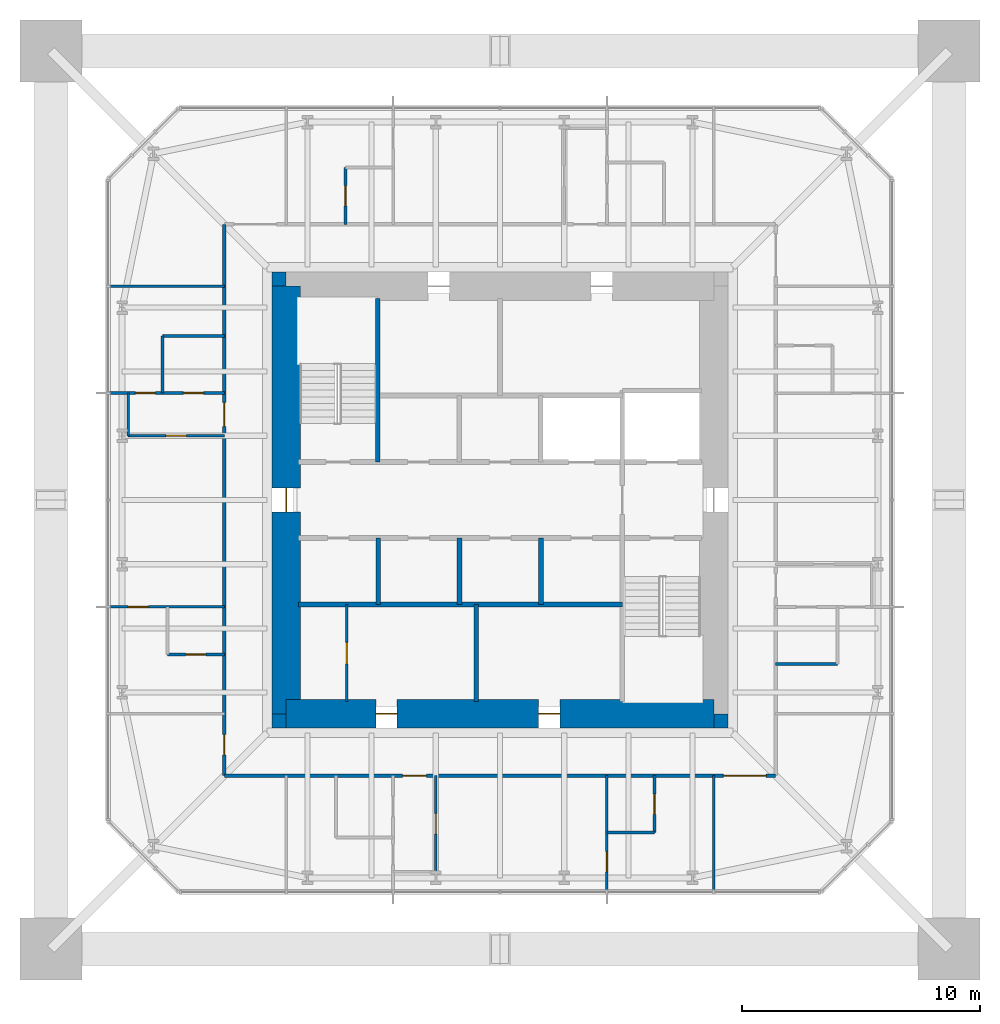
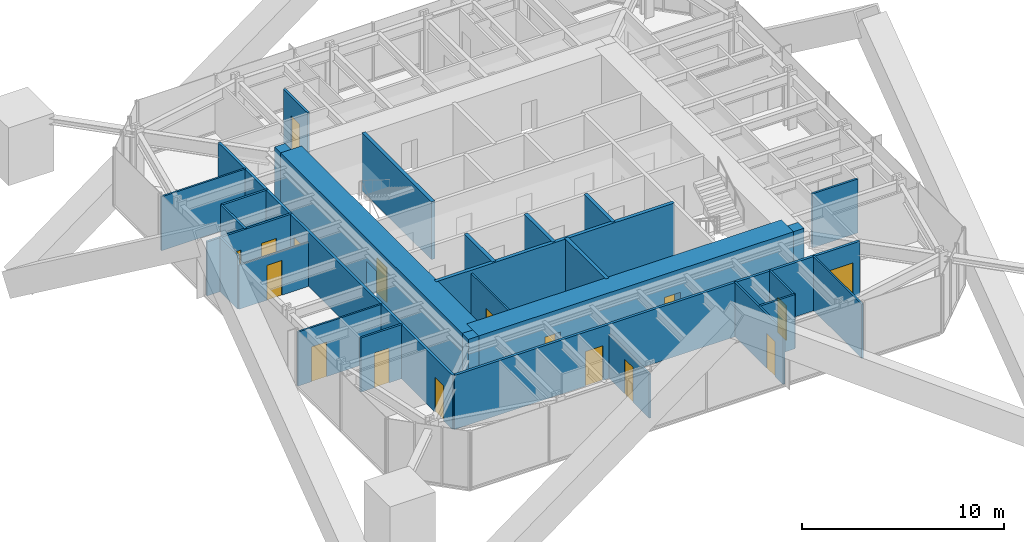
# One storey, part 7 of 10: 29 walls, 17 doors, 17 openings.
"""IFC4 building model written with IfcOpenShell, lengths in metres."""

from ifc_helpers import new_model, si_unit, direction, frame, frame_2d, origin, place, context, subcontext, project, spatial, rectangle, extrude, material, layer, layer_set, type_object, element, fill, save


model = new_model("IFC4")

# Units and contexts
model_context = context("Model", 3, precision=1e-05, world=origin(), true_north=direction((0.0, 1.0)))
body_context = subcontext(model_context, "Body", "Model", "MODEL_VIEW")
ifc_project = project(units=[si_unit("LENGTHUNIT", "METRE"), si_unit("AREAUNIT", "SQUARE_METRE"), si_unit("VOLUMEUNIT", "CUBIC_METRE"), si_unit("PLANEANGLEUNIT", "RADIAN"), si_unit("MASSUNIT", "GRAM", prefix="KILO")], contexts=[model_context])

# Site, building, storey
site_placement = place(None, origin())
site = spatial("IfcSite", under=ifc_project, at=site_placement, CompositionType="ELEMENT")
building_placement = place(site_placement, origin())
building = spatial("IfcBuilding", under=site, at=building_placement, Name="Iwan Alto Co-Living Towers", CompositionType="ELEMENT")
storey_placement = place(building_placement, frame((0.0, 0.0, 246.5)))
storey = spatial("IfcBuildingStorey", under=building, at=storey_placement, Name="L67", CompositionType="ELEMENT", Elevation=246.5)

# Wall, openings, doors
ifc_material_1 = material(Name="Gypsum board")
ifc_layer_1 = layer(ifc_material_1, 0.02490234375, Name="Board", Category="Finish")
ifc_material_2 = material(Name="Steel ASTM A1003 ST33H cold-formed studs", Category="steel")
ifc_layer_2 = layer(ifc_material_2, 0.10009765625, Name="Studs", Category="Framing")
ifc_layer_3 = layer(ifc_material_1, 0.02490234375, Name="Board", Category="Finish")
ifc_layer_set_1 = layer_set([ifc_layer_1, ifc_layer_2, ifc_layer_3], Name="CORRIDOR WALL 150")
wall_type_1 = type_object("IfcWallType", Name="CORRIDOR WALL 150", PredefinedType="PARTITIONING", material=ifc_layer_set_1)
wall_1_placement = place(storey_placement, frame((-11.60009765625, -11.60009765625, 0.0), z_axis=(0.0, 0.0, 1.0), x_axis=(1.0, 0.0, 0.0)))
wall_1 = element("IfcWall", 1, at=wall_1_placement, inside=storey, type_object=wall_type_1, Name="Partition L67", PredefinedType="PARTITIONING", context=body_context, shape_type="SweptSolid", body=[
    extrude(rectangle(XDim=23.2001953125, YDim=0.14990234375, at=frame_2d((11.60009765625, 0.0))), origin(), (0.0, 0.0, 1.0), 3.27001953125),
])
opening_1_placement = place(wall_1_placement, frame((7.5, 0.0, 0.0)))
opening_1 = element("IfcOpeningElement", 2, at=opening_1_placement, cuts=wall_1, Name="Opening D3", PredefinedType="OPENING", context=body_context, shape_type="SweptSolid", body=[
    extrude(rectangle(XDim=1.0, YDim=2.10009765625, at=frame_2d((0.5, 1.050048828125))), frame((0.0, 0.0849609375, 0.0), z_axis=(0.0, -1.0, 0.0), x_axis=(1.0, 0.0, 0.0)), (0.0, 0.0, 1.0), 0.169921875),
])
opening_2_placement = place(wall_1_placement, frame((21.0, 0.0, 0.0)))
opening_2 = element("IfcOpeningElement", 3, at=opening_2_placement, cuts=wall_1, Name="Opening D9", PredefinedType="OPENING", context=body_context, shape_type="SweptSolid", body=[
    extrude(rectangle(XDim=1.800048828125, YDim=2.10009765625, at=frame_2d((0.89990234375, 1.050048828125))), frame((0.0, 0.0849609375, 0.0), z_axis=(0.0, -1.0, 0.0), x_axis=(1.0, 0.0, 0.0)), (0.0, 0.0, 1.0), 0.169921875),
])
ifc_material_3 = material(Name="Steel frame with timber leaf", Category="steel")
door_type_1 = type_object("IfcDoorType", Name="FLAT ENTRANCE DOOR FD30S 1000X2100", OperationType="SINGLE_SWING_LEFT", PredefinedType="DOOR", material=ifc_material_3)
door_1_placement = place(opening_1_placement, frame((1.0, 0.0, 0.0), z_axis=(0.0, 0.0, 1.0), x_axis=(-1.0, 0.0, 0.0)))
door_1 = element("IfcDoor", 4, at=door_1_placement, inside=storey, type_object=door_type_1, Name="Apartment foyer door L67", OperationType="SINGLE_SWING_RIGHT", OverallHeight=2.10009765625, OverallWidth=1.0, PredefinedType="DOOR", context=body_context, shape_type="SweptSolid", body=[
    extrude(rectangle(XDim=1.0, YDim=2.10009765625, at=frame_2d((0.5, 1.050048828125))), frame((0.0, 0.02490234375, 0.0), z_axis=(0.0, -1.0, 0.0), x_axis=(1.0, 0.0, 0.0)), (0.0, 0.0, 1.0), 0.050048828125),
])
fill(opening_1, door_1)
ifc_material_4 = material(Name="Steel frame with timber leaf", Category="steel")
door_type_2 = type_object("IfcDoorType", Name="LOUNGE DOOR FD30S 1800X2100", OperationType="DOUBLE_DOOR_SINGLE_SWING", PredefinedType="DOOR", material=ifc_material_4)
door_2_placement = place(opening_2_placement, frame((1.800048828125, 0.0, 0.0), z_axis=(0.0, 0.0, 1.0), x_axis=(-1.0, 0.0, 0.0)))
door_2 = element("IfcDoor", 5, at=door_2_placement, inside=storey, type_object=door_type_2, Name="Courtyard lounge door L67", OperationType="DOUBLE_DOOR_SINGLE_SWING", OverallHeight=2.10009765625, OverallWidth=1.800048828125, PredefinedType="DOOR", context=body_context, shape_type="SweptSolid", body=[
    extrude(rectangle(XDim=1.800048828125, YDim=2.10009765625, at=frame_2d((0.89990234375, 1.050048828125))), frame((0.0, 0.02490234375, 0.0), z_axis=(0.0, -1.0, 0.0), x_axis=(1.0, 0.0, 0.0)), (0.0, 0.0, 1.0), 0.050048828125),
])
fill(opening_2, door_2)

wall_2_placement = place(storey_placement, frame((-11.60009765625, -11.60009765625, 0.0), z_axis=(0.0, 0.0, 1.0), x_axis=(0.0, 1.0, 0.0)))
wall_2 = element("IfcWall", 6, at=wall_2_placement, inside=storey, type_object=wall_type_1, Name="Partition L67", PredefinedType="PARTITIONING", context=body_context, shape_type="SweptSolid", body=[
    extrude(rectangle(XDim=23.2001953125, YDim=0.14990234375, at=frame_2d((11.60009765625, 0.0))), origin(), (0.0, 0.0, 1.0), 3.27001953125),
])
opening_3_placement = place(wall_2_placement, frame((14.699951171875, 0.0, 0.0)))
opening_3 = element("IfcOpeningElement", 7, at=opening_3_placement, cuts=wall_2, Name="Opening D3", PredefinedType="OPENING", context=body_context, shape_type="SweptSolid", body=[
    extrude(rectangle(XDim=1.0, YDim=2.10009765625, at=frame_2d((0.5, 1.050048828125))), frame((0.0, 0.0849609375, 0.0), z_axis=(0.0, -1.0, 0.0), x_axis=(1.0, 0.0, 0.0)), (0.0, 0.0, 1.0), 0.169921875),
])
opening_4_placement = place(wall_2_placement, frame((0.875, 0.0, 0.0)))
opening_4 = element("IfcOpeningElement", 8, at=opening_4_placement, cuts=wall_2, Name="Opening D2", PredefinedType="OPENING", context=body_context, shape_type="SweptSolid", body=[
    extrude(rectangle(XDim=0.85009765625, YDim=2.10009765625, at=frame_2d((0.425048828125, 1.050048828125))), frame((0.0, 0.0849609375, 0.0), z_axis=(0.0, -1.0, 0.0), x_axis=(1.0, 0.0, 0.0)), (0.0, 0.0, 1.0), 0.169921875),
])
door_3_placement = place(opening_3_placement, origin())
door_3 = element("IfcDoor", 9, at=door_3_placement, inside=storey, type_object=door_type_1, Name="Apartment foyer door L67", OperationType="SINGLE_SWING_LEFT", OverallHeight=2.10009765625, OverallWidth=1.0, PredefinedType="DOOR", context=body_context, shape_type="SweptSolid", body=[
    extrude(rectangle(XDim=1.0, YDim=2.10009765625, at=frame_2d((0.5, 1.050048828125))), frame((0.0, 0.02490234375, 0.0), z_axis=(0.0, -1.0, 0.0), x_axis=(1.0, 0.0, 0.0)), (0.0, 0.0, 1.0), 0.050048828125),
])
fill(opening_3, door_3)
ifc_material_5 = material(Name="Timber leaf in steel frame", Category="steel")
door_type_3 = type_object("IfcDoorType", Name="ROOM DOOR 850X2100", OperationType="SINGLE_SWING_LEFT", PredefinedType="DOOR", material=ifc_material_5)
door_4_placement = place(opening_4_placement, origin())
door_4 = element("IfcDoor", 10, at=door_4_placement, inside=storey, type_object=door_type_3, Name="Shared kitchen and lounge door L67", OperationType="SINGLE_SWING_RIGHT", OverallHeight=2.10009765625, OverallWidth=0.85009765625, PredefinedType="DOOR", context=body_context, shape_type="SweptSolid", body=[
    extrude(rectangle(XDim=0.85009765625, YDim=2.10009765625, at=frame_2d((0.425048828125, 1.050048828125))), frame((0.0, 0.02490234375, 0.0), z_axis=(0.0, -1.0, 0.0), x_axis=(1.0, 0.0, 0.0)), (0.0, 0.0, 1.0), 0.050048828125),
])
fill(opening_4, door_4)

# Wall, opening, door
ifc_layer_4 = layer(ifc_material_1, 0.012451171875, Name="Board", Category="Finish")
ifc_layer_5 = layer(ifc_material_2, 0.074951171875, Name="Studs", Category="Framing")
ifc_layer_6 = layer(ifc_material_1, 0.012451171875, Name="Board", Category="Finish")
ifc_layer_set_2 = layer_set([ifc_layer_4, ifc_layer_5, ifc_layer_6], Name="PARTITION 100")
wall_type_2 = type_object("IfcWallType", Name="PARTITION 100", PredefinedType="PARTITIONING", material=ifc_layer_set_2)
wall_3_placement = place(storey_placement, frame((-16.43994140625, -4.5, 0.0), z_axis=(0.0, 0.0, 1.0), x_axis=(1.0, 0.0, 0.0)))
wall_3 = element("IfcWall", 11, at=wall_3_placement, inside=storey, type_object=wall_type_2, Name="Partition L67", PredefinedType="PARTITIONING", context=body_context, shape_type="SweptSolid", body=[
    extrude(rectangle(XDim=4.83984375, YDim=0.10009765625, at=frame_2d((2.419921875, 0.0))), origin(), (0.0, 0.0, 1.0), 3.27001953125),
])
opening_5_placement = place(wall_3_placement, frame((0.794921875, 0.0, 0.0)))
opening_5 = element("IfcOpeningElement", 12, at=opening_5_placement, cuts=wall_3, Name="Opening D2", PredefinedType="OPENING", context=body_context, shape_type="SweptSolid", body=[
    extrude(rectangle(XDim=0.85009765625, YDim=2.10009765625, at=frame_2d((0.425048828125, 1.050048828125))), frame((0.0, 0.06005859375, 0.0), z_axis=(0.0, -1.0, 0.0), x_axis=(1.0, 0.0, 0.0)), (0.0, 0.0, 1.0), 0.1201171875),
])
door_5_placement = place(opening_5_placement, origin())
door_5 = element("IfcDoor", 13, at=door_5_placement, inside=storey, type_object=door_type_3, Name="Bedroom door L67", OperationType="SINGLE_SWING_LEFT", OverallHeight=2.10009765625, OverallWidth=0.85009765625, PredefinedType="DOOR", context=body_context, shape_type="SweptSolid", body=[
    extrude(rectangle(XDim=0.85009765625, YDim=2.10009765625, at=frame_2d((0.425048828125, 1.050048828125))), frame((0.0, 0.02490234375, 0.0), z_axis=(0.0, -1.0, 0.0), x_axis=(1.0, 0.0, 0.0)), (0.0, 0.0, 1.0), 0.050048828125),
])
fill(opening_5, door_5)

wall_4_placement = place(storey_placement, frame((-15.64990234375, 2.699951171875, 0.0), z_axis=(0.0, 0.0, 1.0), x_axis=(1.0, 0.0, 0.0)))
wall_4 = element("IfcWall", 14, at=wall_4_placement, inside=storey, type_object=wall_type_2, Name="Partition L67", PredefinedType="PARTITIONING", context=body_context, shape_type="SweptSolid", body=[
    extrude(rectangle(XDim=4.0498046875, YDim=0.10009765625, at=frame_2d((2.02490234375, 0.0))), origin(), (0.0, 0.0, 1.0), 2.662841796875),
])
opening_6_placement = place(wall_4_placement, frame((1.60009765625, 0.0, 0.0)))
opening_6 = element("IfcOpeningElement", 15, at=opening_6_placement, cuts=wall_4, Name="Opening D2", PredefinedType="OPENING", context=body_context, shape_type="SweptSolid", body=[
    extrude(rectangle(XDim=0.85009765625, YDim=2.10009765625, at=frame_2d((0.425048828125, 1.050048828125))), frame((0.0, 0.06005859375, 0.0), z_axis=(0.0, -1.0, 0.0), x_axis=(1.0, 0.0, 0.0)), (0.0, 0.0, 1.0), 0.1201171875),
])
door_6_placement = place(opening_6_placement, frame((0.85009765625, 0.0, 0.0), z_axis=(0.0, 0.0, 1.0), x_axis=(-1.0, 0.0, 0.0)))
door_6 = element("IfcDoor", 16, at=door_6_placement, inside=storey, type_object=door_type_3, Name="Apartment foyer door L67", OperationType="SINGLE_SWING_RIGHT", OverallHeight=2.10009765625, OverallWidth=0.85009765625, PredefinedType="DOOR", context=body_context, shape_type="SweptSolid", body=[
    extrude(rectangle(XDim=0.85009765625, YDim=2.10009765625, at=frame_2d((0.425048828125, 1.050048828125))), frame((0.0, 0.02490234375, 0.0), z_axis=(0.0, -1.0, 0.0), x_axis=(1.0, 0.0, 0.0)), (0.0, 0.0, 1.0), 0.050048828125),
])
fill(opening_6, door_6)

# Walls
for number, where, z_axis, x_axis, name in (
    (17, (-16.43994140625, 9.0, 0.0), (0.0, 0.0, 1.0), (1.0, 0.0, 0.0), "Partition L67"),
    (18, (9.0, -16.43994140625, 0.0), (0.0, 0.0, 1.0), (0.0, 1.0, 0.0), "Partition L67"),
):
    element("IfcWall", number, at=place(storey_placement, frame(where, z_axis=z_axis, x_axis=x_axis)), inside=storey, type_object=wall_type_2, Name=name, PredefinedType="PARTITIONING", context=body_context, shape_type="SweptSolid", body=[
        extrude(rectangle(XDim=4.83984375, YDim=0.10009765625, at=frame_2d((2.419921875, 0.0))), origin(), (0.0, 0.0, 1.0), 3.27001953125),
    ])

# Wall, opening, door
wall_5_placement = place(storey_placement, frame((4.5, -16.43994140625, 0.0), z_axis=(0.0, 0.0, 1.0), x_axis=(0.0, 1.0, 0.0)))
wall_5 = element("IfcWall", 19, at=wall_5_placement, inside=storey, type_object=wall_type_2, Name="Partition L67", PredefinedType="PARTITIONING", context=body_context, shape_type="SweptSolid", body=[
    extrude(rectangle(XDim=4.83984375, YDim=0.10009765625, at=frame_2d((2.419921875, 0.0))), origin(), (0.0, 0.0, 1.0), 3.27001953125),
])
opening_7_placement = place(wall_5_placement, frame((0.794921875, 0.0, 0.0)))
opening_7 = element("IfcOpeningElement", 20, at=opening_7_placement, cuts=wall_5, Name="Opening D2", PredefinedType="OPENING", context=body_context, shape_type="SweptSolid", body=[
    extrude(rectangle(XDim=0.85009765625, YDim=2.10009765625, at=frame_2d((0.425048828125, 1.050048828125))), frame((0.0, 0.06005859375, 0.0), z_axis=(0.0, -1.0, 0.0), x_axis=(1.0, 0.0, 0.0)), (0.0, 0.0, 1.0), 0.1201171875),
])
door_7_placement = place(opening_7_placement, origin())
door_7 = element("IfcDoor", 21, at=door_7_placement, inside=storey, type_object=door_type_3, Name="Bedroom door L67", OperationType="SINGLE_SWING_LEFT", OverallHeight=2.10009765625, OverallWidth=0.85009765625, PredefinedType="DOOR", context=body_context, shape_type="SweptSolid", body=[
    extrude(rectangle(XDim=0.85009765625, YDim=2.10009765625, at=frame_2d((0.425048828125, 1.050048828125))), frame((0.0, 0.02490234375, 0.0), z_axis=(0.0, -1.0, 0.0), x_axis=(1.0, 0.0, 0.0)), (0.0, 0.0, 1.0), 0.050048828125),
])
fill(opening_7, door_7)

wall_6_placement = place(storey_placement, frame((-2.699951171875, -15.64990234375, 0.0), z_axis=(0.0, 0.0, 1.0), x_axis=(0.0, 1.0, 0.0)))
wall_6 = element("IfcWall", 22, at=wall_6_placement, inside=storey, type_object=wall_type_2, Name="Partition L67", PredefinedType="PARTITIONING", context=body_context, shape_type="SweptSolid", body=[
    extrude(rectangle(XDim=4.0498046875, YDim=0.10009765625, at=frame_2d((2.02490234375, 0.0))), origin(), (0.0, 0.0, 1.0), 2.662841796875),
])
opening_8_placement = place(wall_6_placement, frame((1.60009765625, 0.0, 0.0)))
opening_8 = element("IfcOpeningElement", 23, at=opening_8_placement, cuts=wall_6, Name="Opening D2", PredefinedType="OPENING", context=body_context, shape_type="SweptSolid", body=[
    extrude(rectangle(XDim=0.85009765625, YDim=2.10009765625, at=frame_2d((0.425048828125, 1.050048828125))), frame((0.0, 0.06005859375, 0.0), z_axis=(0.0, -1.0, 0.0), x_axis=(1.0, 0.0, 0.0)), (0.0, 0.0, 1.0), 0.1201171875),
])
door_8_placement = place(opening_8_placement, frame((0.85009765625, 0.0, 0.0), z_axis=(0.0, 0.0, 1.0), x_axis=(-1.0, 0.0, 0.0)))
door_8 = element("IfcDoor", 24, at=door_8_placement, inside=storey, type_object=door_type_3, Name="Apartment foyer door L67", OperationType="SINGLE_SWING_RIGHT", OverallHeight=2.10009765625, OverallWidth=0.85009765625, PredefinedType="DOOR", context=body_context, shape_type="SweptSolid", body=[
    extrude(rectangle(XDim=0.85009765625, YDim=2.10009765625, at=frame_2d((0.425048828125, 1.050048828125))), frame((0.0, 0.02490234375, 0.0), z_axis=(0.0, -1.0, 0.0), x_axis=(1.0, 0.0, 0.0)), (0.0, 0.0, 1.0), 0.050048828125),
])
fill(opening_8, door_8)

wall_7_placement = place(storey_placement, frame((-6.449951171875, -8.489990234375, 0.0), z_axis=(0.0, 0.0, 1.0), x_axis=(0.0, 1.0, 0.0)))
wall_7 = element("IfcWall", 25, at=wall_7_placement, inside=storey, type_object=wall_type_2, Name="Partition L67", PredefinedType="PARTITIONING", context=body_context, shape_type="SweptSolid", body=[
    extrude(rectangle(XDim=4.090087890625, YDim=0.10009765625, at=frame_2d((2.044921875, 0.0))), origin(), (0.0, 0.0, 1.0), 3.300048828125),
])
opening_9_placement = place(wall_7_placement, frame((1.594970703125, 0.0, 0.0)))
opening_9 = element("IfcOpeningElement", 26, at=opening_9_placement, cuts=wall_7, Name="Opening D16", PredefinedType="OPENING", context=body_context, shape_type="SweptSolid", body=[
    extrude(rectangle(XDim=0.89990234375, YDim=2.10009765625, at=frame_2d((0.449951171875, 1.050048828125))), frame((0.0, 0.06005859375, 0.0), z_axis=(0.0, -1.0, 0.0), x_axis=(1.0, 0.0, 0.0)), (0.0, 0.0, 1.0), 0.1201171875),
])
ifc_material_6 = material(Name="Timber leaf in steel frame", Category="steel")
door_type_4 = type_object("IfcDoorType", Name="CUPBOARD SLIDING DOOR 900X2100", OperationType="SLIDING_TO_LEFT", PredefinedType="DOOR", material=ifc_material_6)
door_9_placement = place(opening_9_placement, origin())
door_9 = element("IfcDoor", 27, at=door_9_placement, inside=storey, type_object=door_type_4, Name="Bulky waste store door L67", OperationType="SLIDING_TO_LEFT", OverallHeight=2.10009765625, OverallWidth=0.89990234375, PredefinedType="DOOR", context=body_context, shape_type="SweptSolid", body=[
    extrude(rectangle(XDim=0.89990234375, YDim=2.10009765625, at=frame_2d((0.449951171875, 1.050048828125))), frame((0.0, 0.02490234375, 0.0), z_axis=(0.0, -1.0, 0.0), x_axis=(1.0, 0.0, 0.0)), (0.0, 0.0, 1.0), 0.050048828125),
])
fill(opening_9, door_9)

# Walls
wall_8_placement = place(storey_placement, frame((-15.64990234375, 2.699951171875, 0.0), z_axis=(0.0, 0.0, 1.0), x_axis=(0.0, 1.0, 0.0)))
element("IfcWall", 28, at=wall_8_placement, inside=storey, type_object=wall_type_2, Name="Partition L67", PredefinedType="PARTITIONING", context=body_context, shape_type="SweptSolid", body=[
    extrude(rectangle(XDim=1.800048828125, YDim=0.10009765625, at=frame_2d((0.89990234375, 0.0))), origin(), (0.0, 0.0, 1.0), 3.27001953125),
])
ifc_material_7 = material(Name="Concrete f'c 70 MPa", Category="concrete")
ifc_layer_7 = layer(ifc_material_7, 0.199951171875)
ifc_layer_set_3 = layer_set([ifc_layer_7], Name="SHAFT WALL 200")
wall_type_3 = type_object("IfcWallType", Name="SHAFT WALL 200", PredefinedType="SOLIDWALL", material=ifc_layer_set_3)
wall_9_placement = place(storey_placement, frame((-8.489990234375, -4.39990234375, 0.0), z_axis=(0.0, 0.0, 1.0), x_axis=(1.0, 0.0, 0.0)))
element("IfcWall", 29, at=wall_9_placement, inside=storey, type_object=wall_type_3, Name="Shaft wall L67", PredefinedType="SOLIDWALL", context=body_context, shape_type="SweptSolid", body=[
    extrude(rectangle(XDim=13.639892578125, YDim=0.199951171875, at=frame_2d((6.81982421875, 0.0))), origin(), (0.0, 0.0, 1.0), 3.5),
])
wall_10_placement = place(storey_placement, frame((1.72509765625, -4.39990234375, 0.0), z_axis=(0.0, 0.0, 1.0), x_axis=(0.0, 1.0, 0.0)))
element("IfcWall", 30, at=wall_10_placement, inside=storey, type_object=wall_type_3, Name="Shaft wall L67", PredefinedType="SOLIDWALL", context=body_context, shape_type="SweptSolid", body=[
    extrude(rectangle(XDim=2.7998046875, YDim=0.199951171875, at=frame_2d((1.39990234375, 0.0))), origin(), (0.0, 0.0, 1.0), 3.5),
])
wall_11_placement = place(storey_placement, frame((-1.0, -8.489990234375, 0.0), z_axis=(0.0, 0.0, 1.0), x_axis=(0.0, 1.0, 0.0)))
element("IfcWall", 31, at=wall_11_placement, inside=storey, type_object=wall_type_3, Name="Shaft wall L67", PredefinedType="SOLIDWALL", context=body_context, shape_type="SweptSolid", body=[
    extrude(rectangle(XDim=4.090087890625, YDim=0.199951171875, at=frame_2d((2.044921875, 0.0))), origin(), (0.0, 0.0, 1.0), 3.5),
])
for number, where, z_axis, x_axis, name in (
    (32, (-1.699951171875, -4.39990234375, 0.0), (0.0, 0.0, 1.0), (0.0, 1.0, 0.0), "Shaft wall L67"),
    (33, (-5.125, -4.39990234375, 0.0), (0.0, 0.0, 1.0), (0.0, 1.0, 0.0), "Shaft wall L67"),
):
    element("IfcWall", number, at=place(storey_placement, frame(where, z_axis=z_axis, x_axis=x_axis)), inside=storey, type_object=wall_type_3, Name=name, PredefinedType="SOLIDWALL", context=body_context, shape_type="SweptSolid", body=[
        extrude(rectangle(XDim=2.7998046875, YDim=0.199951171875, at=frame_2d((1.39990234375, 0.0))), origin(), (0.0, 0.0, 1.0), 3.5),
    ])
wall_12_placement = place(storey_placement, frame((-5.14990234375, 1.60009765625, 0.0), z_axis=(0.0, 0.0, 1.0), x_axis=(0.0, 1.0, 0.0)))
element("IfcWall", 34, at=wall_12_placement, inside=storey, type_object=wall_type_3, Name="Shaft wall L67", PredefinedType="SOLIDWALL", context=body_context, shape_type="SweptSolid", body=[
    extrude(rectangle(XDim=6.889892578125, YDim=0.199951171875, at=frame_2d((3.44482421875, 0.0))), origin(), (0.0, 0.0, 1.0), 3.5),
])
ifc_material_8 = material(Name="Concrete f'c 70 MPa", Category="concrete")
ifc_layer_8 = layer(ifc_material_8, 0.60009765625)
ifc_layer_set_4 = layer_set([ifc_layer_8], Name="T1 CORE CORNER FILL 600")
wall_type_4 = type_object("IfcWallType", Name="T1 CORE CORNER FILL 600", PredefinedType="SOLIDWALL", material=ifc_layer_set_4)
for number, where, z_axis, x_axis, name in (
    (35, (-9.60009765625, -9.300048828125, 0.0), (0.0, 0.0, 1.0), (1.0, 0.0, 0.0), "T1 core corner SW L67"),
    (36, (9.0, -9.300048828125, 0.0), (0.0, 0.0, 1.0), (1.0, 0.0, 0.0), "T1 core corner SE L67"),
    (37, (-9.60009765625, 9.300048828125, 0.0), (0.0, 0.0, 1.0), (1.0, 0.0, 0.0), "T1 core corner NW L67"),
):
    element("IfcWall", number, at=place(storey_placement, frame(where, z_axis=z_axis, x_axis=x_axis)), inside=storey, type_object=wall_type_4, Name=name, PredefinedType="SOLIDWALL", context=body_context, shape_type="SweptSolid", body=[
        extrude(rectangle(XDim=0.60009765625, YDim=0.60009765625, at=frame_2d((0.300048828125, 0.0))), origin(), (0.0, 0.0, 1.0), 3.5),
    ])

# Wall, openings, doors
ifc_material_9 = material(Name="Concrete f'c 70 MPa", Category="concrete")
ifc_layer_9 = layer(ifc_material_9, 1.199951171875)
ifc_layer_set_5 = layer_set([ifc_layer_9], Name="T1 CORE WALL 1200")
wall_type_5 = type_object("IfcWallType", Name="T1 CORE WALL 1200", PredefinedType="SHEAR", material=ifc_layer_set_5)
wall_13_placement = place(storey_placement, frame((-9.0, -9.0, 0.0), z_axis=(0.0, 0.0, 1.0), x_axis=(1.0, 0.0, 0.0)))
wall_13 = element("IfcWall", 38, at=wall_13_placement, inside=storey, type_object=wall_type_5, Name="T1 core wall S L67", PredefinedType="SHEAR", context=body_context, shape_type="SweptSolid", body=[
    extrude(rectangle(XDim=18.0, YDim=1.199951171875, at=frame_2d((9.0, 0.0))), origin(), (0.0, 0.0, 1.0), 3.5),
])
opening_10_placement = place(wall_13_placement, frame((3.77490234375, 0.0, 0.0)))
opening_10 = element("IfcOpeningElement", 39, at=opening_10_placement, cuts=wall_13, Name="Opening D8", PredefinedType="OPENING", context=body_context, shape_type="SweptSolid", body=[
    extrude(rectangle(XDim=0.89990234375, YDim=2.10009765625, at=frame_2d((0.449951171875, 1.050048828125))), frame((0.0, 0.60986328125, 0.0), z_axis=(0.0, -1.0, 0.0), x_axis=(1.0, 0.0, 0.0)), (0.0, 0.0, 1.0), 1.219970703125),
])
opening_11_placement = place(wall_13_placement, frame((10.625, 0.0, 0.0)))
opening_11 = element("IfcOpeningElement", 40, at=opening_11_placement, cuts=wall_13, Name="Opening D8", PredefinedType="OPENING", context=body_context, shape_type="SweptSolid", body=[
    extrude(rectangle(XDim=0.89990234375, YDim=2.10009765625, at=frame_2d((0.449951171875, 1.050048828125))), frame((0.0, 0.60986328125, 0.0), z_axis=(0.0, -1.0, 0.0), x_axis=(1.0, 0.0, 0.0)), (0.0, 0.0, 1.0), 1.219970703125),
])
ifc_material_10 = material(Name="Steel frame with timber leaf", Category="steel")
door_type_5 = type_object("IfcDoorType", Name="RISER DOOR FD120 900X2100", OperationType="SINGLE_SWING_LEFT", PredefinedType="DOOR", material=ifc_material_10)
door_10_placement = place(opening_10_placement, origin())
door_10 = element("IfcDoor", 41, at=door_10_placement, inside=storey, type_object=door_type_5, Name="Refuse room core door L67", OperationType="SINGLE_SWING_LEFT", OverallHeight=2.10009765625, OverallWidth=0.89990234375, PredefinedType="DOOR", context=body_context, shape_type="SweptSolid", body=[
    extrude(rectangle(XDim=0.89990234375, YDim=2.10009765625, at=frame_2d((0.449951171875, 1.050048828125))), frame((0.0, 0.02490234375, 0.0), z_axis=(0.0, -1.0, 0.0), x_axis=(1.0, 0.0, 0.0)), (0.0, 0.0, 1.0), 0.050048828125),
])
fill(opening_10, door_10)
door_11_placement = place(opening_11_placement, origin())
door_11 = element("IfcDoor", 42, at=door_11_placement, inside=storey, type_object=door_type_5, Name="Telecom riser core door L67", OperationType="SINGLE_SWING_LEFT", OverallHeight=2.10009765625, OverallWidth=0.89990234375, PredefinedType="DOOR", context=body_context, shape_type="SweptSolid", body=[
    extrude(rectangle(XDim=0.89990234375, YDim=2.10009765625, at=frame_2d((0.449951171875, 1.050048828125))), frame((0.0, 0.02490234375, 0.0), z_axis=(0.0, -1.0, 0.0), x_axis=(1.0, 0.0, 0.0)), (0.0, 0.0, 1.0), 0.050048828125),
])
fill(opening_11, door_11)

# Wall, opening, door
wall_14_placement = place(storey_placement, frame((-9.0, 9.0, 0.0), z_axis=(0.0, 0.0, 1.0), x_axis=(0.0, -1.0, 0.0)))
wall_14 = element("IfcWall", 43, at=wall_14_placement, inside=storey, type_object=wall_type_5, Name="T1 core wall W L67", PredefinedType="SHEAR", context=body_context, shape_type="SweptSolid", body=[
    extrude(rectangle(XDim=18.0, YDim=1.199951171875, at=frame_2d((9.0, 0.0))), origin(), (0.0, 0.0, 1.0), 3.5),
])
opening_12_placement = place(wall_14_placement, frame((8.5, 0.0, 0.0)))
opening_12 = element("IfcOpeningElement", 44, at=opening_12_placement, cuts=wall_14, Name="Opening D7", PredefinedType="OPENING", context=body_context, shape_type="SweptSolid", body=[
    extrude(rectangle(XDim=1.0, YDim=2.10009765625, at=frame_2d((0.5, 1.050048828125))), frame((0.0, 0.60986328125, 0.0), z_axis=(0.0, -1.0, 0.0), x_axis=(1.0, 0.0, 0.0)), (0.0, 0.0, 1.0), 1.219970703125),
])
ifc_material_11 = material(Name="Steel frame with timber leaf", Category="steel")
door_type_6 = type_object("IfcDoorType", Name="CORE DOOR FD120S 1000X2100", OperationType="SINGLE_SWING_LEFT", PredefinedType="DOOR", material=ifc_material_11)
door_12_placement = place(opening_12_placement, origin())
door_12 = element("IfcDoor", 45, at=door_12_placement, inside=storey, type_object=door_type_6, Name="Lift lobby core door L67", OperationType="SINGLE_SWING_RIGHT", OverallHeight=2.10009765625, OverallWidth=1.0, PredefinedType="DOOR", context=body_context, shape_type="SweptSolid", body=[
    extrude(rectangle(XDim=1.0, YDim=2.10009765625, at=frame_2d((0.5, 1.050048828125))), frame((0.0, 0.02490234375, 0.0), z_axis=(0.0, -1.0, 0.0), x_axis=(1.0, 0.0, 0.0)), (0.0, 0.0, 1.0), 0.050048828125),
])
fill(opening_12, door_12)

# Walls
ifc_material_12 = material(Name="Cement board")
ifc_layer_10 = layer(ifc_material_12, 0.012451171875, Name="Board", Category="Finish")
ifc_layer_11 = layer(ifc_material_2, 0.094970703125, Name="Studs", Category="Framing")
ifc_layer_12 = layer(ifc_material_12, 0.012451171875, Name="Board", Category="Finish")
ifc_layer_set_6 = layer_set([ifc_layer_10, ifc_layer_11, ifc_layer_12], Name="WET AREA PARTITION 120")
wall_type_6 = type_object("IfcWallType", Name="WET AREA PARTITION 120", PredefinedType="PARTITIONING", material=ifc_layer_set_6)
wall_15_placement = place(storey_placement, frame((4.5, -14.0, 0.0), z_axis=(0.0, 0.0, 1.0), x_axis=(1.0, 0.0, 0.0)))
element("IfcWall", 46, at=wall_15_placement, inside=storey, type_object=wall_type_6, Name="Partition L67", PredefinedType="PARTITIONING", context=body_context, shape_type="SweptSolid", body=[
    extrude(rectangle(XDim=2.0, YDim=0.1201171875, at=frame_2d((1.0, 0.0))), origin(), (0.0, 0.0, 1.0), 3.27001953125),
])
wall_16_placement = place(storey_placement, frame((11.60009765625, -6.89990234375, 0.0), z_axis=(0.0, 0.0, 1.0), x_axis=(1.0, 0.0, 0.0)))
element("IfcWall", 47, at=wall_16_placement, inside=storey, type_object=wall_type_6, Name="Partition L67", PredefinedType="PARTITIONING", context=body_context, shape_type="SweptSolid", body=[
    extrude(rectangle(XDim=2.599853515625, YDim=0.1201171875, at=frame_2d((1.2998046875, 0.0))), origin(), (0.0, 0.0, 1.0), 3.27001953125),
])

# Wall, opening, door
wall_17_placement = place(storey_placement, frame((-14.0, -6.5, 0.0), z_axis=(0.0, 0.0, 1.0), x_axis=(1.0, 0.0, 0.0)))
wall_17 = element("IfcWall", 48, at=wall_17_placement, inside=storey, type_object=wall_type_6, Name="Partition L67", PredefinedType="PARTITIONING", context=body_context, shape_type="SweptSolid", body=[
    extrude(rectangle(XDim=2.39990234375, YDim=0.1201171875, at=frame_2d((1.199951171875, 0.0))), origin(), (0.0, 0.0, 1.0), 3.27001953125),
])
opening_13_placement = place(wall_17_placement, frame((0.77490234375, 0.0, 0.0)))
opening_13 = element("IfcOpeningElement", 49, at=opening_13_placement, cuts=wall_17, Name="Opening D2", PredefinedType="OPENING", context=body_context, shape_type="SweptSolid", body=[
    extrude(rectangle(XDim=0.85009765625, YDim=2.10009765625, at=frame_2d((0.425048828125, 1.050048828125))), frame((0.0, 0.070068359375, 0.0), z_axis=(0.0, -1.0, 0.0), x_axis=(1.0, 0.0, 0.0)), (0.0, 0.0, 1.0), 0.14013671875),
])
door_13_placement = place(opening_13_placement, frame((0.85009765625, 0.0, 0.0), z_axis=(0.0, 0.0, 1.0), x_axis=(-1.0, 0.0, 0.0)))
door_13 = element("IfcDoor", 50, at=door_13_placement, inside=storey, type_object=door_type_3, Name="En-suite shower room door L67", OperationType="SINGLE_SWING_LEFT", OverallHeight=2.10009765625, OverallWidth=0.85009765625, PredefinedType="DOOR", context=body_context, shape_type="SweptSolid", body=[
    extrude(rectangle(XDim=0.85009765625, YDim=2.10009765625, at=frame_2d((0.425048828125, 1.050048828125))), frame((0.0, 0.02490234375, 0.0), z_axis=(0.0, -1.0, 0.0), x_axis=(1.0, 0.0, 0.0)), (0.0, 0.0, 1.0), 0.050048828125),
])
fill(opening_13, door_13)

# Wall, openings, doors
wall_18_placement = place(storey_placement, frame((-16.43994140625, 4.5, 0.0), z_axis=(0.0, 0.0, 1.0), x_axis=(1.0, 0.0, 0.0)))
wall_18 = element("IfcWall", 51, at=wall_18_placement, inside=storey, type_object=wall_type_6, Name="Partition L67", PredefinedType="PARTITIONING", context=body_context, shape_type="SweptSolid", body=[
    extrude(rectangle(XDim=4.83984375, YDim=0.1201171875, at=frame_2d((2.419921875, 0.0))), origin(), (0.0, 0.0, 1.0), 3.27001953125),
])
opening_14_placement = place(wall_18_placement, frame((1.090087890625, 0.0, 0.0)))
opening_14 = element("IfcOpeningElement", 52, at=opening_14_placement, cuts=wall_18, Name="Opening D2", PredefinedType="OPENING", context=body_context, shape_type="SweptSolid", body=[
    extrude(rectangle(XDim=0.85009765625, YDim=2.10009765625, at=frame_2d((0.425048828125, 1.050048828125))), frame((0.0, 0.070068359375, 0.0), z_axis=(0.0, -1.0, 0.0), x_axis=(1.0, 0.0, 0.0)), (0.0, 0.0, 1.0), 0.14013671875),
])
opening_15_placement = place(wall_18_placement, frame((3.114990234375, 0.0, 0.0)))
opening_15 = element("IfcOpeningElement", 53, at=opening_15_placement, cuts=wall_18, Name="Opening D2", PredefinedType="OPENING", context=body_context, shape_type="SweptSolid", body=[
    extrude(rectangle(XDim=0.85009765625, YDim=2.10009765625, at=frame_2d((0.425048828125, 1.050048828125))), frame((0.0, 0.070068359375, 0.0), z_axis=(0.0, -1.0, 0.0), x_axis=(1.0, 0.0, 0.0)), (0.0, 0.0, 1.0), 0.14013671875),
])
door_14_placement = place(opening_14_placement, origin())
door_14 = element("IfcDoor", 54, at=door_14_placement, inside=storey, type_object=door_type_3, Name="Bedroom door L67", OperationType="SINGLE_SWING_RIGHT", OverallHeight=2.10009765625, OverallWidth=0.85009765625, PredefinedType="DOOR", context=body_context, shape_type="SweptSolid", body=[
    extrude(rectangle(XDim=0.85009765625, YDim=2.10009765625, at=frame_2d((0.425048828125, 1.050048828125))), frame((0.0, 0.02490234375, 0.0), z_axis=(0.0, -1.0, 0.0), x_axis=(1.0, 0.0, 0.0)), (0.0, 0.0, 1.0), 0.050048828125),
])
fill(opening_14, door_14)
door_15_placement = place(opening_15_placement, origin())
door_15 = element("IfcDoor", 55, at=door_15_placement, inside=storey, type_object=door_type_3, Name="Bathroom door L67", OperationType="SINGLE_SWING_LEFT", OverallHeight=2.10009765625, OverallWidth=0.85009765625, PredefinedType="DOOR", context=body_context, shape_type="SweptSolid", body=[
    extrude(rectangle(XDim=0.85009765625, YDim=2.10009765625, at=frame_2d((0.425048828125, 1.050048828125))), frame((0.0, 0.02490234375, 0.0), z_axis=(0.0, -1.0, 0.0), x_axis=(1.0, 0.0, 0.0)), (0.0, 0.0, 1.0), 0.050048828125),
])
fill(opening_15, door_15)

# Wall
wall_19_placement = place(storey_placement, frame((-14.199951171875, 6.89990234375, 0.0), z_axis=(0.0, 0.0, 1.0), x_axis=(1.0, 0.0, 0.0)))
element("IfcWall", 56, at=wall_19_placement, inside=storey, type_object=wall_type_6, Name="Partition L67", PredefinedType="PARTITIONING", context=body_context, shape_type="SweptSolid", body=[
    extrude(rectangle(XDim=2.599853515625, YDim=0.1201171875, at=frame_2d((1.2998046875, 0.0))), origin(), (0.0, 0.0, 1.0), 3.27001953125),
])

# Wall, opening, door
wall_20_placement = place(storey_placement, frame((6.5, -14.0, 0.0), z_axis=(0.0, 0.0, 1.0), x_axis=(0.0, 1.0, 0.0)))
wall_20 = element("IfcWall", 57, at=wall_20_placement, inside=storey, type_object=wall_type_6, Name="Partition L67", PredefinedType="PARTITIONING", context=body_context, shape_type="SweptSolid", body=[
    extrude(rectangle(XDim=2.39990234375, YDim=0.1201171875, at=frame_2d((1.199951171875, 0.0))), origin(), (0.0, 0.0, 1.0), 3.27001953125),
])
opening_16_placement = place(wall_20_placement, frame((0.77490234375, 0.0, 0.0)))
opening_16 = element("IfcOpeningElement", 58, at=opening_16_placement, cuts=wall_20, Name="Opening D2", PredefinedType="OPENING", context=body_context, shape_type="SweptSolid", body=[
    extrude(rectangle(XDim=0.85009765625, YDim=2.10009765625, at=frame_2d((0.425048828125, 1.050048828125))), frame((0.0, 0.070068359375, 0.0), z_axis=(0.0, -1.0, 0.0), x_axis=(1.0, 0.0, 0.0)), (0.0, 0.0, 1.0), 0.14013671875),
])
door_16_placement = place(opening_16_placement, frame((0.85009765625, 0.0, 0.0), z_axis=(0.0, 0.0, 1.0), x_axis=(-1.0, 0.0, 0.0)))
door_16 = element("IfcDoor", 59, at=door_16_placement, inside=storey, type_object=door_type_3, Name="En-suite shower room door L67", OperationType="SINGLE_SWING_LEFT", OverallHeight=2.10009765625, OverallWidth=0.85009765625, PredefinedType="DOOR", context=body_context, shape_type="SweptSolid", body=[
    extrude(rectangle(XDim=0.85009765625, YDim=2.10009765625, at=frame_2d((0.425048828125, 1.050048828125))), frame((0.0, 0.02490234375, 0.0), z_axis=(0.0, -1.0, 0.0), x_axis=(1.0, 0.0, 0.0)), (0.0, 0.0, 1.0), 0.050048828125),
])
fill(opening_16, door_16)

wall_21_placement = place(storey_placement, frame((-6.5, 11.60009765625, 0.0), z_axis=(0.0, 0.0, 1.0), x_axis=(0.0, 1.0, 0.0)))
wall_21 = element("IfcWall", 60, at=wall_21_placement, inside=storey, type_object=wall_type_6, Name="Partition L67", PredefinedType="PARTITIONING", context=body_context, shape_type="SweptSolid", body=[
    extrude(rectangle(XDim=2.39990234375, YDim=0.1201171875, at=frame_2d((1.199951171875, 0.0))), origin(), (0.0, 0.0, 1.0), 3.27001953125),
])
opening_17_placement = place(wall_21_placement, frame((0.77490234375, 0.0, 0.0)))
opening_17 = element("IfcOpeningElement", 61, at=opening_17_placement, cuts=wall_21, Name="Opening D2", PredefinedType="OPENING", context=body_context, shape_type="SweptSolid", body=[
    extrude(rectangle(XDim=0.85009765625, YDim=2.10009765625, at=frame_2d((0.425048828125, 1.050048828125))), frame((0.0, 0.070068359375, 0.0), z_axis=(0.0, -1.0, 0.0), x_axis=(1.0, 0.0, 0.0)), (0.0, 0.0, 1.0), 0.14013671875),
])
door_17_placement = place(opening_17_placement, origin())
door_17 = element("IfcDoor", 62, at=door_17_placement, inside=storey, type_object=door_type_3, Name="En-suite shower room door L67", OperationType="SINGLE_SWING_LEFT", OverallHeight=2.10009765625, OverallWidth=0.85009765625, PredefinedType="DOOR", context=body_context, shape_type="SweptSolid", body=[
    extrude(rectangle(XDim=0.85009765625, YDim=2.10009765625, at=frame_2d((0.425048828125, 1.050048828125))), frame((0.0, 0.02490234375, 0.0), z_axis=(0.0, -1.0, 0.0), x_axis=(1.0, 0.0, 0.0)), (0.0, 0.0, 1.0), 0.050048828125),
])
fill(opening_17, door_17)

# Wall
wall_22_placement = place(storey_placement, frame((-14.199951171875, 4.5, 0.0), z_axis=(0.0, 0.0, 1.0), x_axis=(0.0, 1.0, 0.0)))
element("IfcWall", 63, at=wall_22_placement, inside=storey, type_object=wall_type_6, Name="Partition L67", PredefinedType="PARTITIONING", context=body_context, shape_type="SweptSolid", body=[
    extrude(rectangle(XDim=2.39990234375, YDim=0.1201171875, at=frame_2d((1.199951171875, 0.0))), origin(), (0.0, 0.0, 1.0), 3.27001953125),
])

save(model, "model.ifc")
